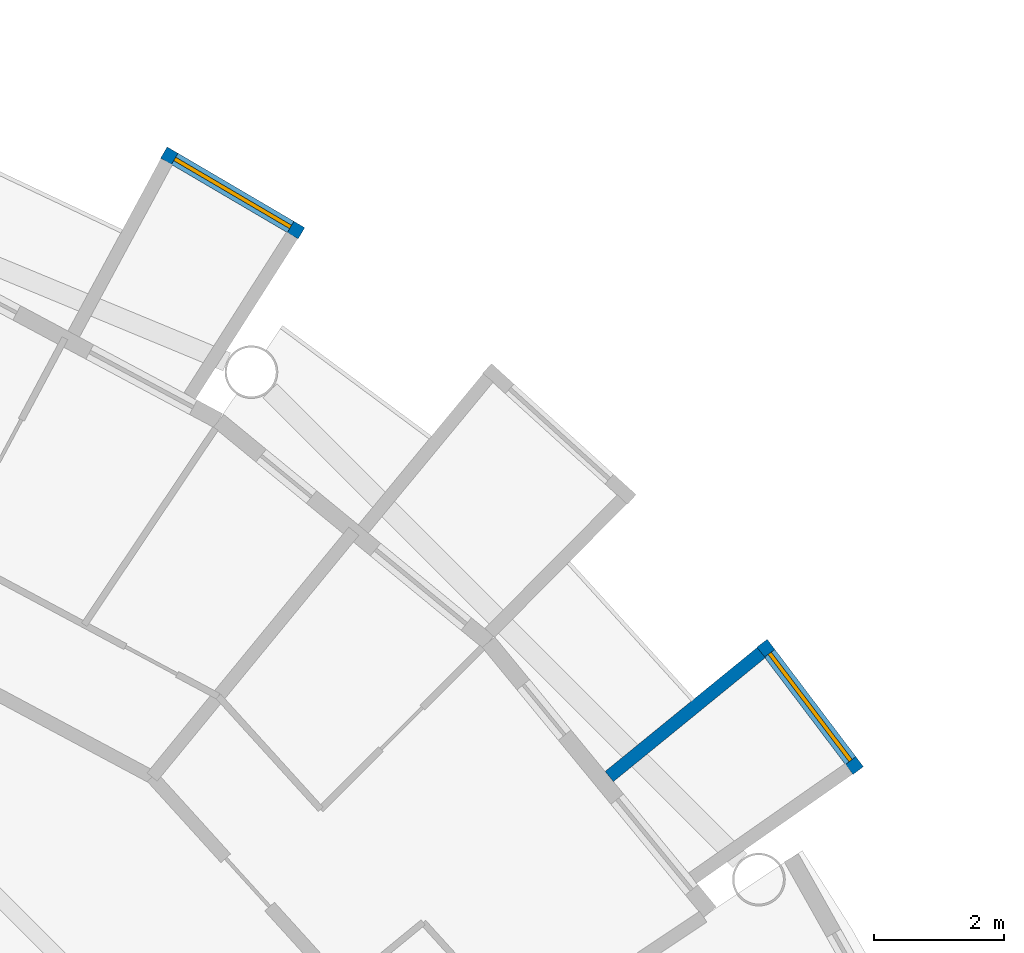
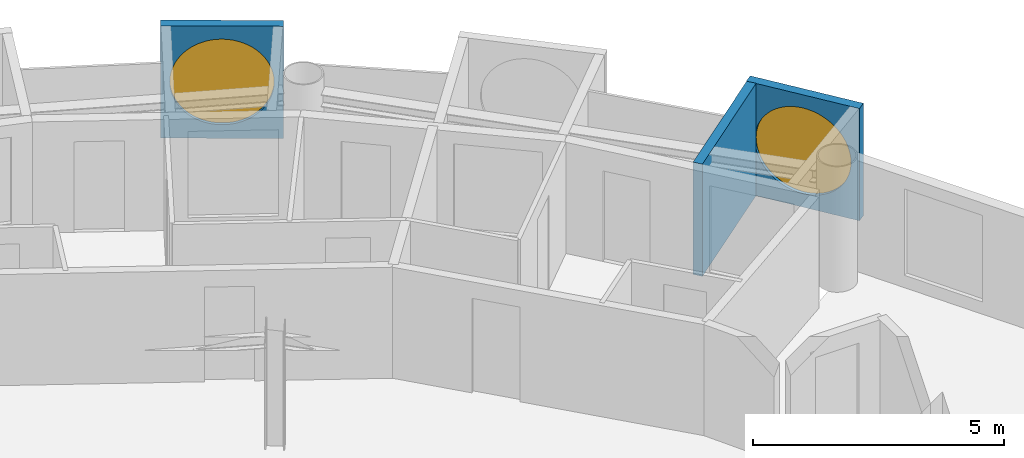
# One storey, part 25 of 29: 3 walls, 2 windows, 2 openings.
"""IFC4 building model written with IfcOpenShell, lengths in metres."""

from ifc_helpers import new_model, si_unit, direction, frame, frame_2d, origin, place, context, subcontext, project, spatial, rectangle, circle, extrude, material, layer, layer_set, type_object, element, fill, save


model = new_model("IFC4")

# Units and contexts
model_context = context("Model", 3, precision=1e-05, world=origin(), true_north=direction((0.0, 1.0)))
body_context = subcontext(model_context, "Body", "Model", "MODEL_VIEW")
ifc_project = project(units=[si_unit("LENGTHUNIT", "METRE"), si_unit("AREAUNIT", "SQUARE_METRE"), si_unit("VOLUMEUNIT", "CUBIC_METRE"), si_unit("PLANEANGLEUNIT", "RADIAN"), si_unit("MASSUNIT", "GRAM", prefix="KILO")], contexts=[model_context])

# Site, building, storey
site_placement = place(None, origin())
site = spatial("IfcSite", under=ifc_project, at=site_placement, CompositionType="ELEMENT")
building_placement = place(site_placement, origin())
building = spatial("IfcBuilding", under=site, at=building_placement, Name="Maasbend Ring Residences", CompositionType="ELEMENT")
storey_placement = place(building_placement, frame((0.0, 0.0, 205.449951171875)))
storey = spatial("IfcBuildingStorey", under=building, at=storey_placement, Name="L59", CompositionType="ELEMENT", Elevation=205.449951171875)

# Wall, opening, window
ifc_material_1 = material(Name="Pale anodised aluminium panel", Category="aluminium")
ifc_layer = layer(ifc_material_1, 0.199951171875)
ifc_layer_set = layer_set([ifc_layer], Name="EW-BOX")
wall_type = type_object("IfcWallType", Name="EW-BOX", PredefinedType="SOLIDWALL", material=ifc_layer_set)
wall_1_placement = place(storey_placement, frame((24.971923828125, 17.3369140625, -0.030029296875), z_axis=(0.0, 0.0, 1.0), x_axis=(-0.602806268067, 0.797887588059, 0.0)))
wall_1 = element("IfcWall", 1, at=wall_1_placement, inside=storey, type_object=wall_type, Name="Box front N01", PredefinedType="SOLIDWALL", context=body_context, shape_type="SweptSolid", body=[
    extrude(rectangle(XDim=2.446533203125, YDim=0.199951171875, at=frame_2d((1.22314453125, 0.0))), origin(), (0.0, 0.0, 1.0), 2.72998046875),
])
opening_1_placement = place(wall_1_placement, frame((0.182861328125, 0.0, 0.330078125)))
opening_1 = element("IfcOpeningElement", 2, at=opening_1_placement, cuts=wall_1, Name="Opening W-RD", PredefinedType="OPENING", context=body_context, shape_type="SweptSolid", body=[
    extrude(circle(Radius=1.0400390625, at=frame_2d((1.0400390625, 1.0400390625))), frame((0.0, 0.10986328125, 0.0), z_axis=(0.0, -1.0, 0.0), x_axis=(1.0, 0.0, 0.0)), (0.0, 0.0, 1.0), 0.219970703125),
])
ifc_material_2 = material(Name="Aluminium and clear glass", Category="aluminium")
window_type = type_object("IfcWindowType", Name="W-RD", PartitioningType="SINGLE_PANEL", PredefinedType="WINDOW", material=ifc_material_2)
window_1_placement = place(opening_1_placement, origin())
window_1 = element("IfcWindow", 3, at=window_1_placement, inside=storey, type_object=window_type, Name="Round window N01", OverallHeight=2.080078125, OverallWidth=2.080078125, PartitioningType="SINGLE_PANEL", PredefinedType="WINDOW", context=body_context, shape_type="SweptSolid", body=[
    extrude(circle(Radius=1.0400390625, at=frame_2d((1.0400390625, 1.0400390625))), frame((0.0, 0.030029296875, 0.0), z_axis=(0.0, -1.0, 0.0), x_axis=(1.0, 0.0, 0.0)), (0.0, 0.0, 1.0), 0.06005859375),
])
fill(opening_1, window_1)

# Wall
wall_2_placement = place(storey_placement, frame((21.155029296875, 17.24609375, -0.030029296875), z_axis=(0.0, 0.0, 1.0), x_axis=(0.775179004516, 0.631741648902, 0.0)))
element("IfcWall", 4, at=wall_2_placement, inside=storey, type_object=wall_type, Name="Box side wall N01 right", PredefinedType="SOLIDWALL", context=body_context, shape_type="SweptSolid", body=[
    extrude(rectangle(XDim=3.005859375, YDim=0.199951171875, at=frame_2d((1.5029296875, 0.0))), origin(), (0.0, 0.0, 1.0), 2.72998046875),
])

# Wall, opening, window
wall_3_placement = place(storey_placement, frame((16.43603515625, 25.573974609375, -0.030029296875), z_axis=(0.0, 0.0, 1.0), x_axis=(-0.862403467503, 0.506221551535, 0.0)))
wall_3 = element("IfcWall", 5, at=wall_3_placement, inside=storey, type_object=wall_type, Name="Box front N05", PredefinedType="SOLIDWALL", context=body_context, shape_type="SweptSolid", body=[
    extrude(rectangle(XDim=2.445556640625, YDim=0.199951171875, at=frame_2d((1.22265625, 0.0))), origin(), (0.0, 0.0, 1.0), 2.72998046875),
])
opening_2_placement = place(wall_3_placement, frame((0.182861328125, 0.0, 0.330078125)))
opening_2 = element("IfcOpeningElement", 6, at=opening_2_placement, cuts=wall_3, Name="Opening W-RD", PredefinedType="OPENING", context=body_context, shape_type="SweptSolid", body=[
    extrude(circle(Radius=1.0400390625, at=frame_2d((1.0400390625, 1.0400390625))), frame((0.0, 0.10986328125, 0.0), z_axis=(0.0, -1.0, 0.0), x_axis=(1.0, 0.0, 0.0)), (0.0, 0.0, 1.0), 0.219970703125),
])
window_2_placement = place(opening_2_placement, origin())
window_2 = element("IfcWindow", 7, at=window_2_placement, inside=storey, type_object=window_type, Name="Round window N05", OverallHeight=2.080078125, OverallWidth=2.080078125, PartitioningType="SINGLE_PANEL", PredefinedType="WINDOW", context=body_context, shape_type="SweptSolid", body=[
    extrude(circle(Radius=1.0400390625, at=frame_2d((1.0400390625, 1.0400390625))), frame((0.0, 0.030029296875, 0.0), z_axis=(0.0, -1.0, 0.0), x_axis=(1.0, 0.0, 0.0)), (0.0, 0.0, 1.0), 0.06005859375),
])
fill(opening_2, window_2)

save(model, "model.ifc")
